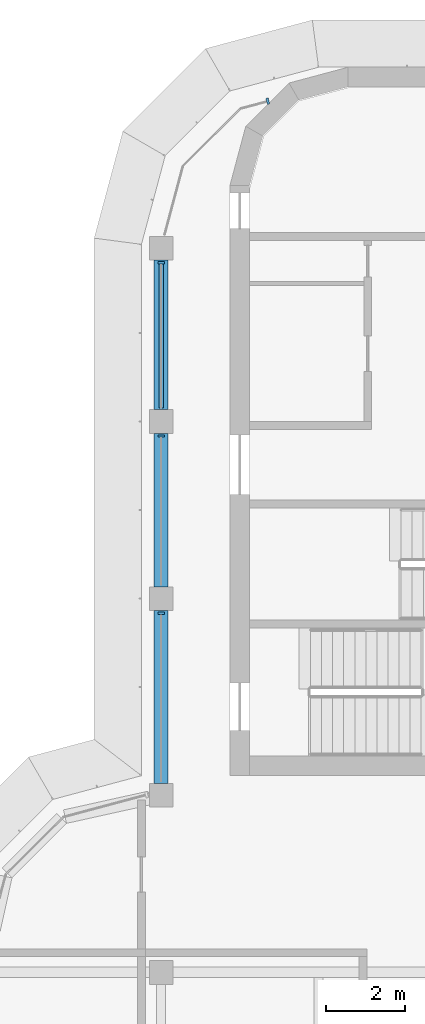
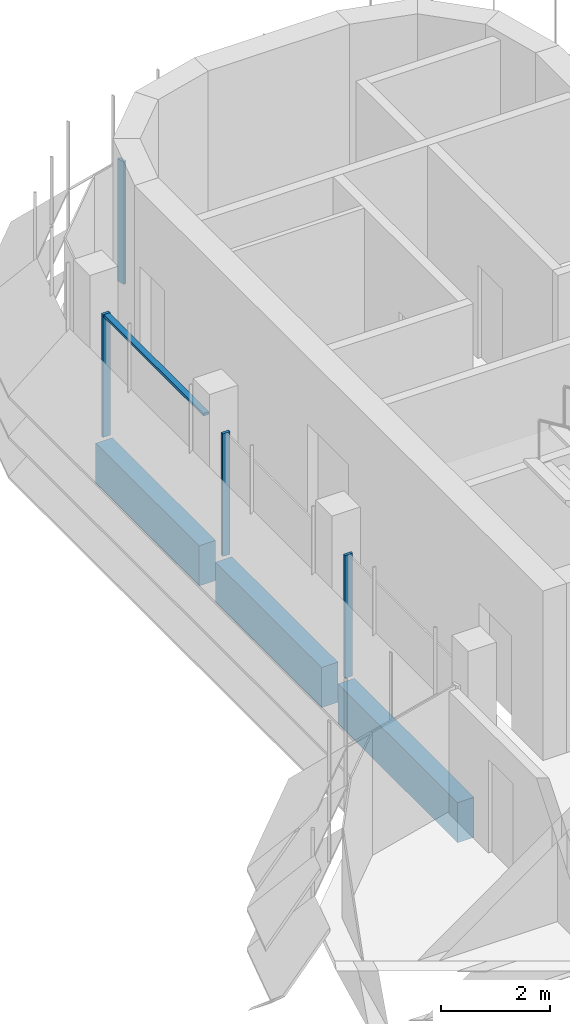
# One storey, part 7 of 19: 5 members, 3 beams, 2 elements without a shape of their own.
"""IFC4 building model written with IfcOpenShell, lengths in metres."""

from ifc_helpers import new_model, si_unit, direction, frame, origin, origin_2d, place, context, subcontext, project, spatial, polyline, rectangle, outline, extrude, source, transform, mapped, material, material_profile, profile_set, type_object, element, aggregate, save


model = new_model("IFC4")

# Units and contexts
model_context = context("Model", 3, precision=1e-05, world=origin(), true_north=direction((0.0, 1.0)))
body_context = subcontext(model_context, "Body", "Model", "MODEL_VIEW")
ifc_project = project(units=[si_unit("LENGTHUNIT", "METRE"), si_unit("AREAUNIT", "SQUARE_METRE"), si_unit("VOLUMEUNIT", "CUBIC_METRE"), si_unit("PLANEANGLEUNIT", "RADIAN"), si_unit("MASSUNIT", "GRAM", prefix="KILO")], contexts=[model_context])

# Site, building, storey
site_placement = place(None, origin())
site = spatial("IfcSite", under=ifc_project, at=site_placement, CompositionType="ELEMENT")
building_placement = place(site_placement, origin())
building = spatial("IfcBuilding", under=site, at=building_placement, Name="Zarbagh Exchange Tower", CompositionType="ELEMENT")
storey_placement = place(building_placement, frame((0.0, 0.0, 268.800048828125)))
storey = spatial("IfcBuildingStorey", under=building, at=storey_placement, Name="L66", CompositionType="ELEMENT", Elevation=268.800048828125)

# Beams
ifc_material_1 = material(Name="Concrete C40/50", Category="concrete")
ifc_material_profile = material_profile(ifc_material_1, rectangle(XDim=0.35009765625, YDim=0.89990234375, at=origin_2d()), Name="RC spandrel beam 350 x 900 C40/50")
ifc_profile_set = profile_set([ifc_material_profile], Name="Concrete C40/50")
beam_type = type_object("IfcBeamType", Name="RC spandrel beam 350 x 900 C40/50", PredefinedType="SPANDREL", material=ifc_profile_set)
beam_1_placement = place(storey_placement, frame((-6.25, 11.050048828125, -0.60009765625), z_axis=(0.0, 1.0, 0.0), x_axis=(-1.0, 0.0, 0.0)))
element("IfcBeam", 1, at=beam_1_placement, inside=storey, type_object=beam_type, Name="RC spandrel beam", PredefinedType="SPANDREL", context=body_context, shape_type="SweptSolid", body=[
    extrude(rectangle(XDim=0.35009765625, YDim=0.89990234375, at=origin_2d()), origin(), (0.0, 0.0, 1.0), 4.39990234375),
])
beam_2_placement = place(storey_placement, frame((-6.25, 16.050048828125, -0.60009765625), z_axis=(0.0, 1.0, 0.0), x_axis=(-1.0, 0.0, 0.0)))
element("IfcBeam", 2, at=beam_2_placement, inside=storey, type_object=beam_type, Name="RC spandrel beam", PredefinedType="SPANDREL", context=body_context, shape_type="SweptSolid", body=[
    extrude(rectangle(XDim=0.35009765625, YDim=0.89990234375, at=origin_2d()), origin(), (0.0, 0.0, 1.0), 3.89990234375),
])
beam_3_placement = place(storey_placement, frame((-6.25, 20.550048828125, -0.60009765625), z_axis=(0.0, 1.0, 0.0), x_axis=(-1.0, 0.0, 0.0)))
element("IfcBeam", 3, at=beam_3_placement, inside=storey, type_object=beam_type, Name="RC spandrel beam", PredefinedType="SPANDREL", context=body_context, shape_type="SweptSolid", body=[
    extrude(rectangle(XDim=0.35009765625, YDim=0.89990234375, at=origin_2d()), origin(), (0.0, 0.0, 1.0), 3.800048828125),
])

# Curtain wall, member
ifc_material_2 = material(Name="Anodised aluminium frame and glazing", Category="aluminium")
curtain_wall_type = type_object("IfcCurtainWallType", Name="CWB Ribbon glazing, upper zones", PredefinedType="NOTDEFINED", material=ifc_material_2)
curtain_wall_1_placement = place(storey_placement, origin())
curtain_wall_1 = element("IfcCurtainWall", 4, at=curtain_wall_1_placement, inside=storey, type_object=curtain_wall_type, Name="CWB70 curtain wall", PredefinedType="NOTDEFINED")
ifc_material_3 = material(Name="Anodised aluminium frame", Category="aluminium")
member_type_1 = type_object("IfcMemberType", Name="MUB Mullion, anodised aluminium frame", PredefinedType="MULLION", material=ifc_material_3)
shared_shape_1 = source(origin(), body_context, "Body", "SweptSolid", [
    extrude(outline(polyline([(0.0, -0.080078125), (0.06005859375, -0.080078125), (0.06005859375, 0.080078125), (0.0, 0.080078125), (0.0, -0.080078125)])), origin(), (0.0, 0.0, 1.0), 2.75),
])
placement = place(storey_placement, origin())
member_1 = element("IfcMember", 5, at=placement, type_object=member_type_1, Name="CWB70 mullion 1.1", PredefinedType="MULLION", context=body_context, shape_type="MappedRepresentation", body=[
    mapped(shared_shape_1, transform((-3.510009765625, 28.394775390625, 0.0), x_axis=(-0.965924289636, -0.258824779902, 0.0), y_axis=(0.258824779902, -0.965924289636, 0.0), z_axis=(0.0, 0.0, 1.0))),
])
aggregate(curtain_wall_1, [member_1])

# Curtain wall, members
curtain_wall_2_placement = place(storey_placement, origin())
curtain_wall_2 = element("IfcCurtainWall", 6, at=curtain_wall_2_placement, inside=storey, type_object=curtain_wall_type, Name="CWB73 curtain wall", PredefinedType="NOTDEFINED")
member_2 = element("IfcMember", 7, at=placement, type_object=member_type_1, Name="CWB73 mullion 1.1", PredefinedType="MULLION", context=body_context, shape_type="MappedRepresentation", body=[
    mapped(shared_shape_1, transform((-6.25, 24.31005859375, 0.0), x_axis=(0.0, -1.0, 0.0), y_axis=(1.0, 0.0, 0.0), z_axis=(0.0, 0.0, 1.0))),
])
member_3 = element("IfcMember", 8, at=placement, type_object=member_type_1, Name="CWB73 mullion 2.1", PredefinedType="MULLION", context=body_context, shape_type="MappedRepresentation", body=[
    mapped(shared_shape_1, transform((-6.25, 19.909912109375, 0.0), x_axis=(0.0, -1.0, 0.0), y_axis=(1.0, 0.0, 0.0), z_axis=(0.0, 0.0, 1.0))),
])
member_4 = element("IfcMember", 9, at=placement, type_object=member_type_1, Name="CWB73 mullion 3.1", PredefinedType="MULLION", context=body_context, shape_type="MappedRepresentation", body=[
    mapped(shared_shape_1, transform((-6.25, 15.409912109375, 0.0), x_axis=(0.0, -1.0, 0.0), y_axis=(1.0, 0.0, 0.0), z_axis=(0.0, 0.0, 1.0))),
])
member_type_2 = type_object("IfcMemberType", Name="TRB Transom, anodised aluminium frame", PredefinedType="USERDEFINED", material=ifc_material_3)
shared_shape_2 = source(origin(), body_context, "Body", "SweptSolid", [
    extrude(outline(polyline([(-0.06005859375, -0.06005859375), (0.0, -0.06005859375), (0.0, 0.06005859375), (-0.06005859375, 0.06005859375), (-0.06005859375, -0.06005859375)])), origin(), (0.0, 0.0, 1.0), 3.659912109375),
])
member_5 = element("IfcMember", 10, at=placement, type_object=member_type_2, Name="CWB73 transom 1.1", ObjectType="TRANSOM", PredefinedType="USERDEFINED", context=body_context, shape_type="MappedRepresentation", body=[
    mapped(shared_shape_2, transform((-6.25, 24.25, 2.75), x_axis=(0.0, 0.0, 1.0), y_axis=(-1.0, 0.0, 0.0), z_axis=(0.0, -1.0, 0.0))),
])
aggregate(curtain_wall_2, [member_2, member_5, member_3, member_4])

save(model, "model.ifc")
